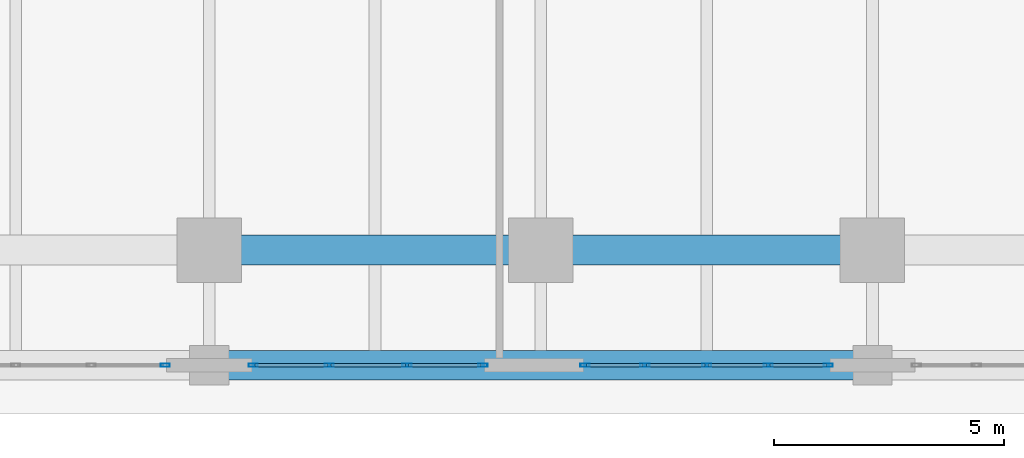
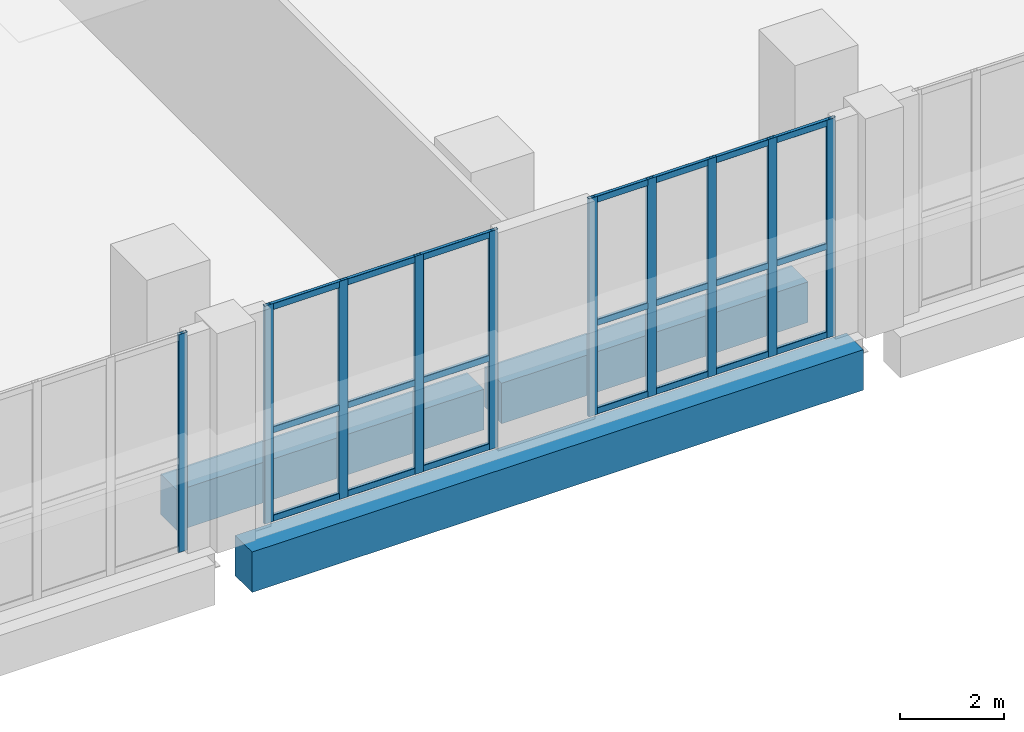
# One storey, part 11 of 25: 31 members, 3 beams, 3 elements without a shape of their own.
"""IFC4 building model written with IfcOpenShell, lengths in metres."""

from ifc_helpers import new_model, si_unit, direction, frame, origin, origin_2d, place, context, subcontext, project, spatial, rectangle, hollow_rectangle, extrude, material, layer, layer_set, material_profile, profile_set, type_object, element, aggregate, save


model = new_model("IFC4")

# Units and contexts
model_context = context("Model", 3, precision=1e-05, world=origin(), true_north=direction((0.0, 1.0)))
body_context = subcontext(model_context, "Body", "Model", "MODEL_VIEW")
ifc_project = project(units=[si_unit("LENGTHUNIT", "METRE"), si_unit("AREAUNIT", "SQUARE_METRE"), si_unit("VOLUMEUNIT", "CUBIC_METRE"), si_unit("PLANEANGLEUNIT", "RADIAN"), si_unit("MASSUNIT", "GRAM", prefix="KILO")], contexts=[model_context])

# Site, building, storey
site_placement = place(None, origin())
site = spatial("IfcSite", under=ifc_project, at=site_placement, CompositionType="ELEMENT")
building_placement = place(site_placement, origin())
building = spatial("IfcBuilding", under=site, at=building_placement, Name="Kaelvorn Grand Hotel", CompositionType="ELEMENT")
storey_placement = place(building_placement, frame((0.0, 0.0, 26.0)))
storey = spatial("IfcBuildingStorey", under=building, at=storey_placement, Name="L04", CompositionType="ELEMENT", Elevation=26.0)

# Beams
ifc_material_1 = material(Name="Concrete C60/75", Category="concrete")
ifc_material_profile_1 = material_profile(ifc_material_1, rectangle(XDim=0.64990234375, YDim=0.949951171875, at=origin_2d()), Name="RC SPANDREL 650x950")
ifc_profile_set_1 = profile_set([ifc_material_profile_1], Name="Concrete C60/75")
beam_type = type_object("IfcBeamType", Name="BM-SP-650x950-C60", PredefinedType="SPANDREL", material=ifc_profile_set_1)
beam_placement = place(storey_placement, frame((46.610107421875, -2.5, -0.794921875), z_axis=(1.0, 0.0, 0.0), x_axis=(0.0, 1.0, 0.0)))
element("IfcBeam", 1, at=beam_placement, inside=storey, type_object=beam_type, Name="L04 South Perimeter Spandrel 05", PredefinedType="SPANDREL", context=body_context, shape_type="SweptSolid", body=[
    extrude(rectangle(XDim=0.64990234375, YDim=0.949951171875, at=origin_2d()), origin(), (0.0, 0.0, 1.0), 13.579833984375),
])
for number, where, z_axis, x_axis, name in (
    (2, (46.39501953125, 0.0, -0.794921875), (1.0, 0.0, 0.0), (0.0, 1.0, 0.0), "L04 Tower Line South Girder 06"),
    (3, (53.594970703125, 0.0, -0.794921875), (1.0, 0.0, 0.0), (0.0, 1.0, 0.0), "L04 Tower Line South Girder 07"),
):
    element("IfcBeam", number, at=place(storey_placement, frame(where, z_axis=z_axis, x_axis=x_axis)), inside=storey, type_object=beam_type, Name=name, PredefinedType="SPANDREL", context=body_context, shape_type="SweptSolid", body=[
        extrude(rectangle(XDim=0.64990234375, YDim=0.949951171875, at=origin_2d()), origin(), (0.0, 0.0, 1.0), 6.81005859375),
    ])

# Curtain wall, member
ifc_material_2 = material(Name="Anodised Aluminium", Category="aluminium")
ifc_layer = layer(ifc_material_2, 0.199951171875)
ifc_layer_set = layer_set([ifc_layer], Name="Anodised Aluminium")
curtain_wall_type = type_object("IfcCurtainWallType", Name="CW-SYS2", PredefinedType="NOTDEFINED", material=ifc_layer_set)
curtain_wall_1_placement = place(storey_placement, origin())
curtain_wall_1 = element("IfcCurtainWall", 4, at=curtain_wall_1_placement, inside=storey, type_object=curtain_wall_type, Name="L04 Unitised Curtain Wall CW2 (CW-L04-S-04)", PredefinedType="NOTDEFINED")
ifc_material_profile_2 = material_profile(ifc_material_2, hollow_rectangle(XDim=0.074951171875, YDim=0.199951171875, WallThickness=0.00390625, InnerFilletRadius=0.00390625, OuterFilletRadius=0.008056640625, at=origin_2d()), Name="ALU MULL 75x200")
ifc_profile_set_2 = profile_set([ifc_material_profile_2], Name="Anodised Aluminium")
member_type_1 = type_object("IfcMemberType", Name="CW-SYS2-MULL", PredefinedType="MULLION", material=ifc_profile_set_2)
member_1_placement = place(storey_placement, frame((45.242431640625, -2.5, 0.0), z_axis=(0.0, 0.0, 1.0), x_axis=(0.0, 1.0, 0.0)))
member_1 = element("IfcMember", 5, at=member_1_placement, type_object=member_type_1, Name="CW2 mullion 5", PredefinedType="MULLION", context=body_context, shape_type="SweptSolid", body=[
    extrude(hollow_rectangle(XDim=0.074951171875, YDim=0.199951171875, WallThickness=0.00390625, InnerFilletRadius=0.00390625, OuterFilletRadius=0.008056640625, at=origin_2d()), origin(), (0.0, 0.0, 1.0), 5.1201171875),
])
aggregate(curtain_wall_1, [member_1])

# Curtain wall, members
curtain_wall_2_placement = place(storey_placement, origin())
curtain_wall_2 = element("IfcCurtainWall", 6, at=curtain_wall_2_placement, inside=storey, type_object=curtain_wall_type, Name="L04 Unitised Curtain Wall CW2 (CW-L04-S-05)", PredefinedType="NOTDEFINED")
member_2_placement = place(storey_placement, frame((47.157470703125, -2.5, 0.0), z_axis=(0.0, 0.0, 1.0), x_axis=(0.0, 1.0, 0.0)))
member_2 = element("IfcMember", 7, at=member_2_placement, type_object=member_type_1, Name="CW2 mullion 1", PredefinedType="MULLION", context=body_context, shape_type="SweptSolid", body=[
    extrude(hollow_rectangle(XDim=0.074951171875, YDim=0.199951171875, WallThickness=0.00390625, InnerFilletRadius=0.00390625, OuterFilletRadius=0.008056640625, at=origin_2d()), origin(), (0.0, 0.0, 1.0), 5.1201171875),
])
member_3_placement = place(storey_placement, frame((48.806640625, -2.5, 0.0), z_axis=(0.0, 0.0, 1.0), x_axis=(0.0, 1.0, 0.0)))
member_3 = element("IfcMember", 8, at=member_3_placement, type_object=member_type_1, Name="CW2 mullion 2", PredefinedType="MULLION", context=body_context, shape_type="SweptSolid", body=[
    extrude(hollow_rectangle(XDim=0.074951171875, YDim=0.199951171875, WallThickness=0.00390625, InnerFilletRadius=0.00390625, OuterFilletRadius=0.008056640625, at=origin_2d()), origin(), (0.0, 0.0, 1.0), 5.1201171875),
])
member_4_placement = place(storey_placement, frame((50.493408203125, -2.5, 0.0), z_axis=(0.0, 0.0, 1.0), x_axis=(0.0, 1.0, 0.0)))
member_4 = element("IfcMember", 9, at=member_4_placement, type_object=member_type_1, Name="CW2 mullion 3", PredefinedType="MULLION", context=body_context, shape_type="SweptSolid", body=[
    extrude(hollow_rectangle(XDim=0.074951171875, YDim=0.199951171875, WallThickness=0.00390625, InnerFilletRadius=0.00390625, OuterFilletRadius=0.008056640625, at=origin_2d()), origin(), (0.0, 0.0, 1.0), 5.1201171875),
])
member_5_placement = place(storey_placement, frame((52.142578125, -2.5, 0.0), z_axis=(0.0, 0.0, 1.0), x_axis=(0.0, 1.0, 0.0)))
member_5 = element("IfcMember", 10, at=member_5_placement, type_object=member_type_1, Name="CW2 mullion 4", PredefinedType="MULLION", context=body_context, shape_type="SweptSolid", body=[
    extrude(hollow_rectangle(XDim=0.074951171875, YDim=0.199951171875, WallThickness=0.00390625, InnerFilletRadius=0.00390625, OuterFilletRadius=0.008056640625, at=origin_2d()), origin(), (0.0, 0.0, 1.0), 5.1201171875),
])

curtain_wall_3_placement = place(storey_placement, origin())
curtain_wall_3 = element("IfcCurtainWall", 11, at=curtain_wall_3_placement, inside=storey, type_object=curtain_wall_type, Name="L04 Unitised Curtain Wall CW2 (CW-L04-S-06)", PredefinedType="NOTDEFINED")
member_6_placement = place(storey_placement, frame((54.357421875, -2.5, 0.0), z_axis=(0.0, 0.0, 1.0), x_axis=(0.0, 1.0, 0.0)))
member_6 = element("IfcMember", 12, at=member_6_placement, type_object=member_type_1, Name="CW2 mullion 1", PredefinedType="MULLION", context=body_context, shape_type="SweptSolid", body=[
    extrude(hollow_rectangle(XDim=0.074951171875, YDim=0.199951171875, WallThickness=0.00390625, InnerFilletRadius=0.00390625, OuterFilletRadius=0.008056640625, at=origin_2d()), origin(), (0.0, 0.0, 1.0), 5.1201171875),
])
member_7_placement = place(storey_placement, frame((55.659912109375, -2.5, 0.0), z_axis=(0.0, 0.0, 1.0), x_axis=(0.0, 1.0, 0.0)))
member_7 = element("IfcMember", 13, at=member_7_placement, type_object=member_type_1, Name="CW2 mullion 2", PredefinedType="MULLION", context=body_context, shape_type="SweptSolid", body=[
    extrude(hollow_rectangle(XDim=0.074951171875, YDim=0.199951171875, WallThickness=0.00390625, InnerFilletRadius=0.00390625, OuterFilletRadius=0.008056640625, at=origin_2d()), origin(), (0.0, 0.0, 1.0), 5.1201171875),
])
member_8_placement = place(storey_placement, frame((57.0, -2.5, 0.0), z_axis=(0.0, 0.0, 1.0), x_axis=(0.0, 1.0, 0.0)))
member_8 = element("IfcMember", 14, at=member_8_placement, type_object=member_type_1, Name="CW2 mullion 3", PredefinedType="MULLION", context=body_context, shape_type="SweptSolid", body=[
    extrude(hollow_rectangle(XDim=0.074951171875, YDim=0.199951171875, WallThickness=0.00390625, InnerFilletRadius=0.00390625, OuterFilletRadius=0.008056640625, at=origin_2d()), origin(), (0.0, 0.0, 1.0), 5.1201171875),
])
member_9_placement = place(storey_placement, frame((58.340087890625, -2.5, 0.0), z_axis=(0.0, 0.0, 1.0), x_axis=(0.0, 1.0, 0.0)))
member_9 = element("IfcMember", 15, at=member_9_placement, type_object=member_type_1, Name="CW2 mullion 4", PredefinedType="MULLION", context=body_context, shape_type="SweptSolid", body=[
    extrude(hollow_rectangle(XDim=0.074951171875, YDim=0.199951171875, WallThickness=0.00390625, InnerFilletRadius=0.00390625, OuterFilletRadius=0.008056640625, at=origin_2d()), origin(), (0.0, 0.0, 1.0), 5.1201171875),
])
member_10_placement = place(storey_placement, frame((59.642578125, -2.5, 0.0), z_axis=(0.0, 0.0, 1.0), x_axis=(0.0, 1.0, 0.0)))
member_10 = element("IfcMember", 16, at=member_10_placement, type_object=member_type_1, Name="CW2 mullion 5", PredefinedType="MULLION", context=body_context, shape_type="SweptSolid", body=[
    extrude(hollow_rectangle(XDim=0.074951171875, YDim=0.199951171875, WallThickness=0.00390625, InnerFilletRadius=0.00390625, OuterFilletRadius=0.008056640625, at=origin_2d()), origin(), (0.0, 0.0, 1.0), 5.1201171875),
])

# Member
ifc_material_profile_3 = material_profile(ifc_material_2, hollow_rectangle(XDim=0.074951171875, YDim=0.14990234375, WallThickness=0.00390625, InnerFilletRadius=0.00390625, OuterFilletRadius=0.008056640625, at=origin_2d()), Name="ALU TRAN 75x150")
ifc_profile_set_3 = profile_set([ifc_material_profile_3], Name="Anodised Aluminium")
member_type_2 = type_object("IfcMemberType", Name="CW-SYS2-TRAN", PredefinedType="NOTDEFINED", material=ifc_profile_set_3)
member_11_placement = place(storey_placement, frame((47.195068359375, -2.5, 0.074951171875), z_axis=(1.0, 0.0, 0.0), x_axis=(0.0, 1.0, 0.0)))
member_11 = element("IfcMember", 17, at=member_11_placement, type_object=member_type_2, Name="CW2 transom 1.1", ObjectType="TRANSOM", PredefinedType="USERDEFINED", context=body_context, shape_type="SweptSolid", body=[
    extrude(hollow_rectangle(XDim=0.074951171875, YDim=0.14990234375, WallThickness=0.00390625, InnerFilletRadius=0.00390625, OuterFilletRadius=0.008056640625, at=origin_2d()), origin(), (0.0, 0.0, 1.0), 1.57421875),
])

member_12_placement = place(storey_placement, frame((47.195068359375, -2.5, 2.150390625), z_axis=(1.0, 0.0, 0.0), x_axis=(0.0, 1.0, 0.0)))
member_12 = element("IfcMember", 18, at=member_12_placement, type_object=member_type_2, Name="CW2 transom 1.2", ObjectType="TRANSOM", PredefinedType="USERDEFINED", context=body_context, shape_type="SweptSolid", body=[
    extrude(hollow_rectangle(XDim=0.074951171875, YDim=0.14990234375, WallThickness=0.00390625, InnerFilletRadius=0.00390625, OuterFilletRadius=0.008056640625, at=origin_2d()), origin(), (0.0, 0.0, 1.0), 1.57421875),
])

member_13_placement = place(storey_placement, frame((47.195068359375, -2.5, 5.044921875), z_axis=(1.0, 0.0, 0.0), x_axis=(0.0, 1.0, 0.0)))
member_13 = element("IfcMember", 19, at=member_13_placement, type_object=member_type_2, Name="CW2 transom 1.3", ObjectType="TRANSOM", PredefinedType="USERDEFINED", context=body_context, shape_type="SweptSolid", body=[
    extrude(hollow_rectangle(XDim=0.074951171875, YDim=0.14990234375, WallThickness=0.00390625, InnerFilletRadius=0.00390625, OuterFilletRadius=0.008056640625, at=origin_2d()), origin(), (0.0, 0.0, 1.0), 1.57421875),
])

member_14_placement = place(storey_placement, frame((48.84423828125, -2.5, 0.074951171875), z_axis=(1.0, 0.0, 0.0), x_axis=(0.0, 1.0, 0.0)))
member_14 = element("IfcMember", 20, at=member_14_placement, type_object=member_type_2, Name="CW2 transom 2.1", ObjectType="TRANSOM", PredefinedType="USERDEFINED", context=body_context, shape_type="SweptSolid", body=[
    extrude(hollow_rectangle(XDim=0.074951171875, YDim=0.14990234375, WallThickness=0.00390625, InnerFilletRadius=0.00390625, OuterFilletRadius=0.008056640625, at=origin_2d()), origin(), (0.0, 0.0, 1.0), 1.611572265625),
])

member_15_placement = place(storey_placement, frame((48.84423828125, -2.5, 2.150390625), z_axis=(1.0, 0.0, 0.0), x_axis=(0.0, 1.0, 0.0)))
member_15 = element("IfcMember", 21, at=member_15_placement, type_object=member_type_2, Name="CW2 transom 2.2", ObjectType="TRANSOM", PredefinedType="USERDEFINED", context=body_context, shape_type="SweptSolid", body=[
    extrude(hollow_rectangle(XDim=0.074951171875, YDim=0.14990234375, WallThickness=0.00390625, InnerFilletRadius=0.00390625, OuterFilletRadius=0.008056640625, at=origin_2d()), origin(), (0.0, 0.0, 1.0), 1.611572265625),
])

member_16_placement = place(storey_placement, frame((48.84423828125, -2.5, 5.044921875), z_axis=(1.0, 0.0, 0.0), x_axis=(0.0, 1.0, 0.0)))
member_16 = element("IfcMember", 22, at=member_16_placement, type_object=member_type_2, Name="CW2 transom 2.3", ObjectType="TRANSOM", PredefinedType="USERDEFINED", context=body_context, shape_type="SweptSolid", body=[
    extrude(hollow_rectangle(XDim=0.074951171875, YDim=0.14990234375, WallThickness=0.00390625, InnerFilletRadius=0.00390625, OuterFilletRadius=0.008056640625, at=origin_2d()), origin(), (0.0, 0.0, 1.0), 1.611572265625),
])

member_17_placement = place(storey_placement, frame((50.53076171875, -2.5, 0.074951171875), z_axis=(1.0, 0.0, 0.0), x_axis=(0.0, 1.0, 0.0)))
member_17 = element("IfcMember", 23, at=member_17_placement, type_object=member_type_2, Name="CW2 transom 3.1", ObjectType="TRANSOM", PredefinedType="USERDEFINED", context=body_context, shape_type="SweptSolid", body=[
    extrude(hollow_rectangle(XDim=0.074951171875, YDim=0.14990234375, WallThickness=0.00390625, InnerFilletRadius=0.00390625, OuterFilletRadius=0.008056640625, at=origin_2d()), origin(), (0.0, 0.0, 1.0), 1.57421875),
])

member_18_placement = place(storey_placement, frame((50.53076171875, -2.5, 2.150390625), z_axis=(1.0, 0.0, 0.0), x_axis=(0.0, 1.0, 0.0)))
member_18 = element("IfcMember", 24, at=member_18_placement, type_object=member_type_2, Name="CW2 transom 3.2", ObjectType="TRANSOM", PredefinedType="USERDEFINED", context=body_context, shape_type="SweptSolid", body=[
    extrude(hollow_rectangle(XDim=0.074951171875, YDim=0.14990234375, WallThickness=0.00390625, InnerFilletRadius=0.00390625, OuterFilletRadius=0.008056640625, at=origin_2d()), origin(), (0.0, 0.0, 1.0), 1.57421875),
])

member_19_placement = place(storey_placement, frame((50.53076171875, -2.5, 5.044921875), z_axis=(1.0, 0.0, 0.0), x_axis=(0.0, 1.0, 0.0)))
member_19 = element("IfcMember", 25, at=member_19_placement, type_object=member_type_2, Name="CW2 transom 3.3", ObjectType="TRANSOM", PredefinedType="USERDEFINED", context=body_context, shape_type="SweptSolid", body=[
    extrude(hollow_rectangle(XDim=0.074951171875, YDim=0.14990234375, WallThickness=0.00390625, InnerFilletRadius=0.00390625, OuterFilletRadius=0.008056640625, at=origin_2d()), origin(), (0.0, 0.0, 1.0), 1.57421875),
])

aggregate(curtain_wall_2, [member_2, member_3, member_4, member_5, member_11, member_12, member_13, member_14, member_15, member_16, member_17, member_18, member_19])

member_20_placement = place(storey_placement, frame((54.39501953125, -2.5, 0.074951171875), z_axis=(1.0, 0.0, 0.0), x_axis=(0.0, 1.0, 0.0)))
member_20 = element("IfcMember", 26, at=member_20_placement, type_object=member_type_2, Name="CW2 transom 1.1", ObjectType="TRANSOM", PredefinedType="USERDEFINED", context=body_context, shape_type="SweptSolid", body=[
    extrude(hollow_rectangle(XDim=0.074951171875, YDim=0.14990234375, WallThickness=0.00390625, InnerFilletRadius=0.00390625, OuterFilletRadius=0.008056640625, at=origin_2d()), origin(), (0.0, 0.0, 1.0), 1.2275390625),
])

member_21_placement = place(storey_placement, frame((54.39501953125, -2.5, 2.150390625), z_axis=(1.0, 0.0, 0.0), x_axis=(0.0, 1.0, 0.0)))
member_21 = element("IfcMember", 27, at=member_21_placement, type_object=member_type_2, Name="CW2 transom 1.2", ObjectType="TRANSOM", PredefinedType="USERDEFINED", context=body_context, shape_type="SweptSolid", body=[
    extrude(hollow_rectangle(XDim=0.074951171875, YDim=0.14990234375, WallThickness=0.00390625, InnerFilletRadius=0.00390625, OuterFilletRadius=0.008056640625, at=origin_2d()), origin(), (0.0, 0.0, 1.0), 1.2275390625),
])

member_22_placement = place(storey_placement, frame((54.39501953125, -2.5, 5.044921875), z_axis=(1.0, 0.0, 0.0), x_axis=(0.0, 1.0, 0.0)))
member_22 = element("IfcMember", 28, at=member_22_placement, type_object=member_type_2, Name="CW2 transom 1.3", ObjectType="TRANSOM", PredefinedType="USERDEFINED", context=body_context, shape_type="SweptSolid", body=[
    extrude(hollow_rectangle(XDim=0.074951171875, YDim=0.14990234375, WallThickness=0.00390625, InnerFilletRadius=0.00390625, OuterFilletRadius=0.008056640625, at=origin_2d()), origin(), (0.0, 0.0, 1.0), 1.2275390625),
])

member_23_placement = place(storey_placement, frame((55.697509765625, -2.5, 0.074951171875), z_axis=(1.0, 0.0, 0.0), x_axis=(0.0, 1.0, 0.0)))
member_23 = element("IfcMember", 29, at=member_23_placement, type_object=member_type_2, Name="CW2 transom 2.1", ObjectType="TRANSOM", PredefinedType="USERDEFINED", context=body_context, shape_type="SweptSolid", body=[
    extrude(hollow_rectangle(XDim=0.074951171875, YDim=0.14990234375, WallThickness=0.00390625, InnerFilletRadius=0.00390625, OuterFilletRadius=0.008056640625, at=origin_2d()), origin(), (0.0, 0.0, 1.0), 1.264892578125),
])

member_24_placement = place(storey_placement, frame((55.697509765625, -2.5, 2.150390625), z_axis=(1.0, 0.0, 0.0), x_axis=(0.0, 1.0, 0.0)))
member_24 = element("IfcMember", 30, at=member_24_placement, type_object=member_type_2, Name="CW2 transom 2.2", ObjectType="TRANSOM", PredefinedType="USERDEFINED", context=body_context, shape_type="SweptSolid", body=[
    extrude(hollow_rectangle(XDim=0.074951171875, YDim=0.14990234375, WallThickness=0.00390625, InnerFilletRadius=0.00390625, OuterFilletRadius=0.008056640625, at=origin_2d()), origin(), (0.0, 0.0, 1.0), 1.264892578125),
])

member_25_placement = place(storey_placement, frame((55.697509765625, -2.5, 5.044921875), z_axis=(1.0, 0.0, 0.0), x_axis=(0.0, 1.0, 0.0)))
member_25 = element("IfcMember", 31, at=member_25_placement, type_object=member_type_2, Name="CW2 transom 2.3", ObjectType="TRANSOM", PredefinedType="USERDEFINED", context=body_context, shape_type="SweptSolid", body=[
    extrude(hollow_rectangle(XDim=0.074951171875, YDim=0.14990234375, WallThickness=0.00390625, InnerFilletRadius=0.00390625, OuterFilletRadius=0.008056640625, at=origin_2d()), origin(), (0.0, 0.0, 1.0), 1.264892578125),
])

member_26_placement = place(storey_placement, frame((57.03759765625, -2.5, 0.074951171875), z_axis=(1.0, 0.0, 0.0), x_axis=(0.0, 1.0, 0.0)))
member_26 = element("IfcMember", 32, at=member_26_placement, type_object=member_type_2, Name="CW2 transom 3.1", ObjectType="TRANSOM", PredefinedType="USERDEFINED", context=body_context, shape_type="SweptSolid", body=[
    extrude(hollow_rectangle(XDim=0.074951171875, YDim=0.14990234375, WallThickness=0.00390625, InnerFilletRadius=0.00390625, OuterFilletRadius=0.008056640625, at=origin_2d()), origin(), (0.0, 0.0, 1.0), 1.264892578125),
])

member_27_placement = place(storey_placement, frame((57.03759765625, -2.5, 2.150390625), z_axis=(1.0, 0.0, 0.0), x_axis=(0.0, 1.0, 0.0)))
member_27 = element("IfcMember", 33, at=member_27_placement, type_object=member_type_2, Name="CW2 transom 3.2", ObjectType="TRANSOM", PredefinedType="USERDEFINED", context=body_context, shape_type="SweptSolid", body=[
    extrude(hollow_rectangle(XDim=0.074951171875, YDim=0.14990234375, WallThickness=0.00390625, InnerFilletRadius=0.00390625, OuterFilletRadius=0.008056640625, at=origin_2d()), origin(), (0.0, 0.0, 1.0), 1.264892578125),
])

member_28_placement = place(storey_placement, frame((57.03759765625, -2.5, 5.044921875), z_axis=(1.0, 0.0, 0.0), x_axis=(0.0, 1.0, 0.0)))
member_28 = element("IfcMember", 34, at=member_28_placement, type_object=member_type_2, Name="CW2 transom 3.3", ObjectType="TRANSOM", PredefinedType="USERDEFINED", context=body_context, shape_type="SweptSolid", body=[
    extrude(hollow_rectangle(XDim=0.074951171875, YDim=0.14990234375, WallThickness=0.00390625, InnerFilletRadius=0.00390625, OuterFilletRadius=0.008056640625, at=origin_2d()), origin(), (0.0, 0.0, 1.0), 1.264892578125),
])

member_29_placement = place(storey_placement, frame((58.37744140625, -2.5, 0.074951171875), z_axis=(1.0, 0.0, 0.0), x_axis=(0.0, 1.0, 0.0)))
member_29 = element("IfcMember", 35, at=member_29_placement, type_object=member_type_2, Name="CW2 transom 4.1", ObjectType="TRANSOM", PredefinedType="USERDEFINED", context=body_context, shape_type="SweptSolid", body=[
    extrude(hollow_rectangle(XDim=0.074951171875, YDim=0.14990234375, WallThickness=0.00390625, InnerFilletRadius=0.00390625, OuterFilletRadius=0.008056640625, at=origin_2d()), origin(), (0.0, 0.0, 1.0), 1.2275390625),
])

member_30_placement = place(storey_placement, frame((58.37744140625, -2.5, 2.150390625), z_axis=(1.0, 0.0, 0.0), x_axis=(0.0, 1.0, 0.0)))
member_30 = element("IfcMember", 36, at=member_30_placement, type_object=member_type_2, Name="CW2 transom 4.2", ObjectType="TRANSOM", PredefinedType="USERDEFINED", context=body_context, shape_type="SweptSolid", body=[
    extrude(hollow_rectangle(XDim=0.074951171875, YDim=0.14990234375, WallThickness=0.00390625, InnerFilletRadius=0.00390625, OuterFilletRadius=0.008056640625, at=origin_2d()), origin(), (0.0, 0.0, 1.0), 1.2275390625),
])

member_31_placement = place(storey_placement, frame((58.37744140625, -2.5, 5.044921875), z_axis=(1.0, 0.0, 0.0), x_axis=(0.0, 1.0, 0.0)))
member_31 = element("IfcMember", 37, at=member_31_placement, type_object=member_type_2, Name="CW2 transom 4.3", ObjectType="TRANSOM", PredefinedType="USERDEFINED", context=body_context, shape_type="SweptSolid", body=[
    extrude(hollow_rectangle(XDim=0.074951171875, YDim=0.14990234375, WallThickness=0.00390625, InnerFilletRadius=0.00390625, OuterFilletRadius=0.008056640625, at=origin_2d()), origin(), (0.0, 0.0, 1.0), 1.2275390625),
])

aggregate(curtain_wall_3, [member_6, member_7, member_8, member_9, member_10, member_20, member_21, member_22, member_23, member_24, member_25, member_26, member_27, member_28, member_29, member_30, member_31])

save(model, "model.ifc")
